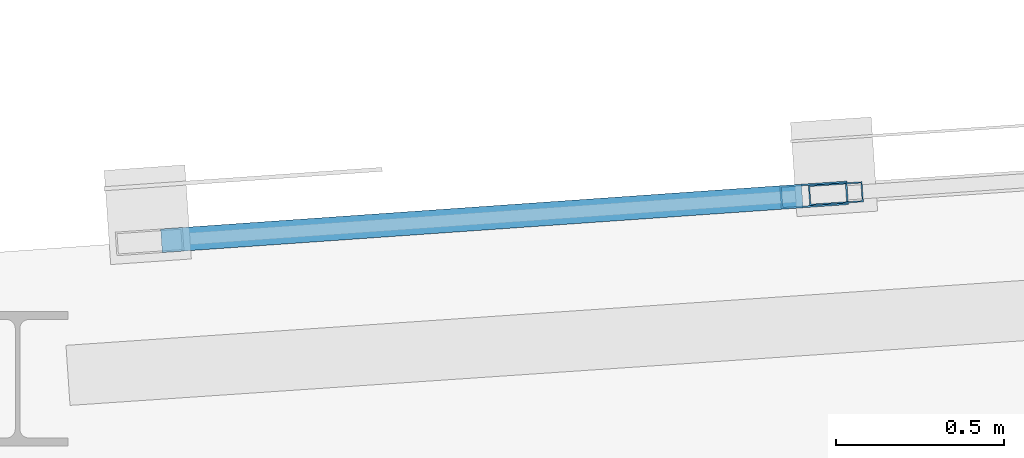
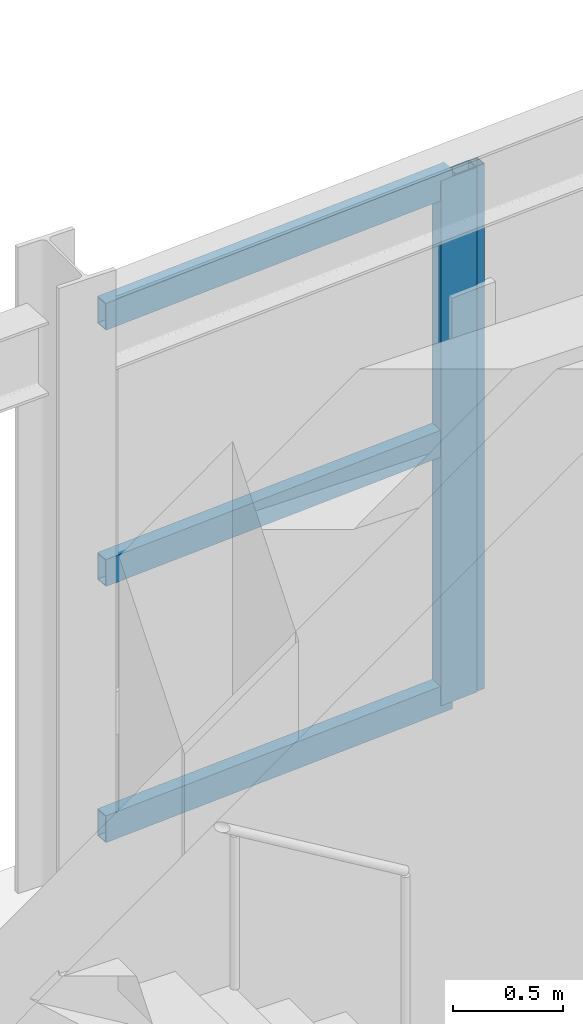
# One storey, part 11 of 50: 5 members, 2 elements without a shape of their own.
"""IFC4 building model written with IfcOpenShell, lengths in metres."""

from ifc_helpers import new_model, si_unit, direction, frame, origin, origin_2d, place, context, subcontext, project, spatial, hollow_rectangle, extrude, material, layer, layer_set, material_profile, profile_set, type_object, element, aggregate, save


model = new_model("IFC4")

# Units and contexts
model_context = context("Model", 3, precision=1e-05, world=origin(), true_north=direction((0.0, 1.0)))
body_context = subcontext(model_context, "Body", "Model", "MODEL_VIEW")
ifc_project = project(units=[si_unit("LENGTHUNIT", "METRE"), si_unit("AREAUNIT", "SQUARE_METRE"), si_unit("VOLUMEUNIT", "CUBIC_METRE"), si_unit("PLANEANGLEUNIT", "RADIAN"), si_unit("MASSUNIT", "GRAM", prefix="KILO")], contexts=[model_context])

# Site, building, storey
site_placement = place(None, origin())
site = spatial("IfcSite", under=ifc_project, at=site_placement, CompositionType="ELEMENT")
building_placement = place(site_placement, origin())
building = spatial("IfcBuilding", under=site, at=building_placement, Name="Carrowvane Square Congress Hotel", CompositionType="ELEMENT")
storey_placement = place(building_placement, frame((0.0, 0.0, 22.800048828125)))
storey = spatial("IfcBuildingStorey", under=building, at=storey_placement, Name="L05", CompositionType="ELEMENT", Elevation=22.800048828125)

# Curtain wall, member
ifc_material_1 = material(Name="Anodised aluminium", Category="aluminium")
ifc_layer_1 = layer(ifc_material_1, 0.23388671875)
ifc_layer_set_1 = layer_set([ifc_layer_1], Name="Anodised aluminium")
curtain_wall_type_1 = type_object("IfcCurtainWallType", Name="CW-SYS-7", PredefinedType="NOTDEFINED", material=ifc_layer_set_1)
curtain_wall_1_placement = place(storey_placement, origin())
curtain_wall_1 = element("IfcCurtainWall", 1, at=curtain_wall_1_placement, inside=storey, type_object=curtain_wall_type_1, Name="L05 unitised curtain wall 318", PredefinedType="NOTDEFINED")
ifc_material_2 = material(Name="Anodised aluminium", Category="aluminium")
ifc_material_profile_1 = material_profile(ifc_material_2, hollow_rectangle(XDim=0.06005859375, YDim=0.159912109375, WallThickness=0.00390625, at=origin_2d()), Name="CW-ML 60x160x4")
ifc_profile_set_1 = profile_set([ifc_material_profile_1], Name="Anodised aluminium")
member_type_1 = type_object("IfcMemberType", Name="CW-MUL-1", PredefinedType="MULLION", material=ifc_profile_set_1)
member_1_placement = place(storey_placement, frame((64.429931640625, 115.255859375, 0.0), z_axis=(0.0, 0.0, 1.0), x_axis=(-0.067865424104, 0.997694484404, 0.0)))
member_1 = element("IfcMember", 2, at=member_1_placement, type_object=member_type_1, Name="CW-7 mullion 1", PredefinedType="MULLION", context=body_context, shape_type="SweptSolid", body=[
    extrude(hollow_rectangle(XDim=0.06005859375, YDim=0.159912109375, WallThickness=0.00390625, at=origin_2d()), origin(), (0.0, 0.0, 1.0), 2.925537109375),
])
aggregate(curtain_wall_1, [member_1])

# Curtain wall, members
ifc_material_3 = material(Name="Anodised aluminium", Category="aluminium")
ifc_layer_2 = layer(ifc_material_3, 0.221923828125)
ifc_layer_set_2 = layer_set([ifc_layer_2], Name="Anodised aluminium")
curtain_wall_type_2 = type_object("IfcCurtainWallType", Name="CW-SYS-6", PredefinedType="NOTDEFINED", material=ifc_layer_set_2)
curtain_wall_2_placement = place(storey_placement, origin())
curtain_wall_2 = element("IfcCurtainWall", 3, at=curtain_wall_2_placement, inside=storey, type_object=curtain_wall_type_2, Name="L05 unitised curtain wall 317", PredefinedType="NOTDEFINED")
ifc_material_4 = material(Name="Anodised aluminium", Category="aluminium")
ifc_material_profile_2 = material_profile(ifc_material_4, hollow_rectangle(XDim=0.070068359375, YDim=0.199951171875, WallThickness=0.0048828125, at=origin_2d()), Name="CW-ML 70x200x5")
ifc_profile_set_2 = profile_set([ifc_material_profile_2], Name="Anodised aluminium")
member_type_2 = type_object("IfcMemberType", Name="CW-MUL-2", PredefinedType="MULLION", material=ifc_profile_set_2)
member_2_placement = place(storey_placement, frame((64.365234375, 115.251220703125, 0.0), z_axis=(0.0, 0.0, 1.0), x_axis=(-0.069723822092, 0.997566332949, 0.0)))
member_2 = element("IfcMember", 4, at=member_2_placement, type_object=member_type_2, Name="CW-6 mullion 2", PredefinedType="MULLION", context=body_context, shape_type="SweptSolid", body=[
    extrude(hollow_rectangle(XDim=0.070068359375, YDim=0.199951171875, WallThickness=0.0048828125, at=origin_2d()), origin(), (0.0, 0.0, 1.0), 2.925537109375),
])
ifc_material_5 = material(Name="Anodised aluminium", Category="aluminium")
ifc_material_profile_3 = material_profile(ifc_material_5, hollow_rectangle(XDim=0.070068359375, YDim=0.14990234375, WallThickness=0.0048828125, at=origin_2d()), Name="CW-TR 70x150x5")
ifc_profile_set_3 = profile_set([ifc_material_profile_3], Name="Anodised aluminium")
member_type_3 = type_object("IfcMemberType", Name="CW-TRN-2", PredefinedType="USERDEFINED", material=ifc_profile_set_3)
member_3_placement = place(storey_placement, frame((62.427001953125, 115.11572265625, 0.034912109375), z_axis=(0.997565380596, 0.069737446437, 0.0), x_axis=(-0.069737446437, 0.997565380596, 0.0)))
member_3 = element("IfcMember", 5, at=member_3_placement, type_object=member_type_3, Name="CW-6 transom 1.1", ObjectType="TRANSOM", PredefinedType="USERDEFINED", context=body_context, shape_type="SweptSolid", body=[
    extrude(hollow_rectangle(XDim=0.070068359375, YDim=0.14990234375, WallThickness=0.0048828125, at=origin_2d()), origin(), (0.0, 0.0, 1.0), 1.907958984375),
])
member_4_placement = place(storey_placement, frame((62.427001953125, 115.11572265625, 1.462646484375), z_axis=(0.997565380596, 0.069737446437, 0.0), x_axis=(-0.069737446437, 0.997565380596, 0.0)))
member_4 = element("IfcMember", 6, at=member_4_placement, type_object=member_type_3, Name="CW-6 transom 1.2", ObjectType="TRANSOM", PredefinedType="USERDEFINED", context=body_context, shape_type="SweptSolid", body=[
    extrude(hollow_rectangle(XDim=0.070068359375, YDim=0.14990234375, WallThickness=0.0048828125, at=origin_2d()), origin(), (0.0, 0.0, 1.0), 1.907958984375),
])
member_5_placement = place(storey_placement, frame((62.427001953125, 115.11572265625, 2.890625), z_axis=(0.997565380596, 0.069737446437, 0.0), x_axis=(-0.069737446437, 0.997565380596, 0.0)))
member_5 = element("IfcMember", 7, at=member_5_placement, type_object=member_type_3, Name="CW-6 transom 1.3", ObjectType="TRANSOM", PredefinedType="USERDEFINED", context=body_context, shape_type="SweptSolid", body=[
    extrude(hollow_rectangle(XDim=0.070068359375, YDim=0.14990234375, WallThickness=0.0048828125, at=origin_2d()), origin(), (0.0, 0.0, 1.0), 1.907958984375),
])
aggregate(curtain_wall_2, [member_2, member_3, member_4, member_5])

save(model, "model.ifc")
